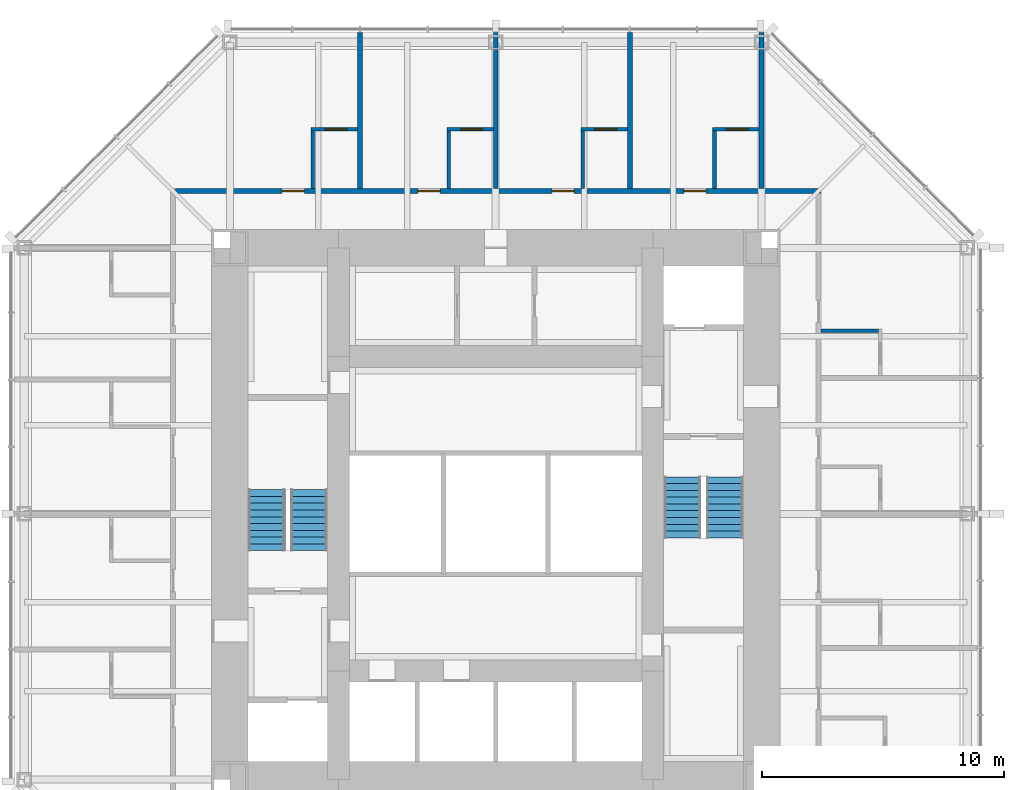
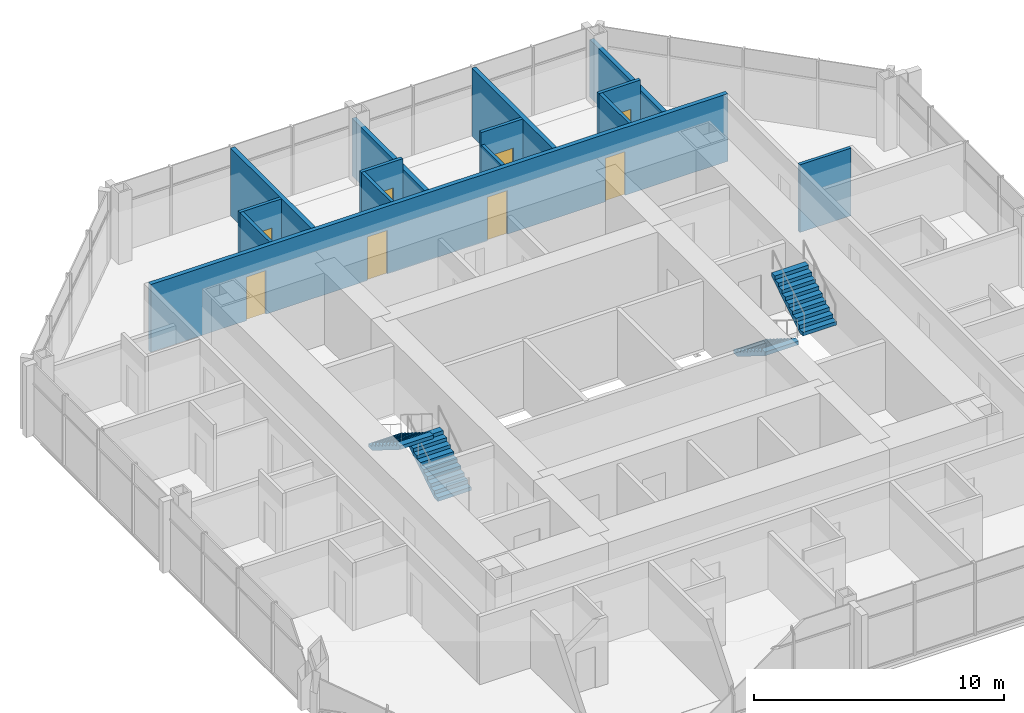
# One storey, part 10 of 12: 14 walls, 8 doors, 4 stair flights, 8 openings, 2 elements without a shape of their own.
"""IFC4 building model written with IfcOpenShell, lengths in metres."""

from ifc_helpers import new_model, si_unit, direction, frame, frame_2d, origin, place, context, subcontext, project, spatial, polyline, rectangle, outline, extrude, material, layer, layer_set, type_object, element, fill, aggregate, save


model = new_model("IFC4")

# Units and contexts
model_context = context("Model", 3, precision=1e-05, world=origin(), true_north=direction((0.0, 1.0)))
body_context = subcontext(model_context, "Body", "Model", "MODEL_VIEW")
ifc_project = project(units=[si_unit("LENGTHUNIT", "METRE"), si_unit("AREAUNIT", "SQUARE_METRE"), si_unit("VOLUMEUNIT", "CUBIC_METRE"), si_unit("PLANEANGLEUNIT", "RADIAN"), si_unit("MASSUNIT", "GRAM", prefix="KILO")], contexts=[model_context])

# Site, building, storey
site_placement = place(None, origin())
site = spatial("IfcSite", under=ifc_project, at=site_placement, CompositionType="ELEMENT")
building_placement = place(site_placement, origin())
building = spatial("IfcBuilding", under=site, at=building_placement, Name="Trevanion Tower", CompositionType="ELEMENT")
storey_placement = place(building_placement, frame((0.0, 0.0, 197.699951171875)))
storey = spatial("IfcBuildingStorey", under=building, at=storey_placement, Name="L46", CompositionType="ELEMENT", Elevation=197.699951171875)

# Wall
ifc_material_1 = material(Name="Gypsum board on steel studs", Category="steel")
ifc_layer_1 = layer(ifc_material_1, 0.14990234375)
ifc_layer_set_1 = layer_set([ifc_layer_1], Name="PT1 partition 150")
wall_type_1 = type_object("IfcWallType", Name="PT1 partition 150", PredefinedType="PARTITIONING", material=ifc_layer_set_1)
wall_1_placement = place(storey_placement, frame((13.449951171875, 7.56396484375, 0.0), z_axis=(0.0, 0.0, 1.0), x_axis=(1.0, 0.0, 0.0)))
element("IfcWall", 1, at=wall_1_placement, inside=storey, type_object=wall_type_1, Name="PT1 L46 BB03", PredefinedType="PARTITIONING", context=body_context, shape_type="SweptSolid", body=[
    extrude(rectangle(XDim=2.375, YDim=0.14990234375, at=frame_2d((1.1875, 0.0))), origin(), (0.0, 0.0, 1.0), 3.31005859375),
])

# Wall, opening, door
wall_2_placement = place(storey_placement, frame((10.89990234375, 15.89990234375, 0.0), z_axis=(0.0, 0.0, 1.0), x_axis=(-1.0, 0.0, 0.0)))
wall_2 = element("IfcWall", 2, at=wall_2_placement, inside=storey, type_object=wall_type_1, Name="PT1 L46 BA10", PredefinedType="PARTITIONING", context=body_context, shape_type="SweptSolid", body=[
    extrude(rectangle(XDim=1.9248046875, YDim=0.14990234375, at=frame_2d((0.96240234375, 0.0))), origin(), (0.0, 0.0, 1.0), 3.31005859375),
])
opening_1_placement = place(wall_2_placement, frame((0.4423828125, 0.0, 0.0)))
opening_1 = element("IfcOpeningElement", 3, at=opening_1_placement, cuts=wall_2, Name="Opening 46-024", PredefinedType="OPENING", context=body_context, shape_type="SweptSolid", body=[
    extrude(rectangle(XDim=0.9150390625, YDim=2.031982421875, at=frame_2d((0.45751953125, 1.01611328125))), frame((0.0, 0.0849609375, 0.0), z_axis=(0.0, -1.0, 0.0), x_axis=(1.0, 0.0, 0.0)), (0.0, 0.0, 1.0), 0.169921875),
])
ifc_material_2 = material(Name="Timber veneer", Category="wood")
door_type_1 = type_object("IfcDoorType", Name="D7 bathroom door", OperationType="SINGLE_SWING_LEFT", PredefinedType="DOOR", material=ifc_material_2)
door_1_placement = place(opening_1_placement, origin())
door_1 = element("IfcDoor", 4, at=door_1_placement, inside=storey, type_object=door_type_1, Name="Door 46-024", OperationType="SINGLE_SWING_LEFT", OverallHeight=2.031982421875, OverallWidth=0.9150390625, PredefinedType="DOOR", context=body_context, shape_type="SweptSolid", body=[
    extrude(rectangle(XDim=0.9150390625, YDim=2.031982421875, at=frame_2d((0.45751953125, 1.01611328125))), frame((0.0, 0.02490234375, 0.0), z_axis=(0.0, -1.0, 0.0), x_axis=(1.0, 0.0, 0.0)), (0.0, 0.0, 1.0), 0.050048828125),
])
fill(opening_1, door_1)

# Wall
wall_3_placement = place(storey_placement, frame((9.050048828125, 13.449951171875, 0.0), z_axis=(0.0, 0.0, 1.0), x_axis=(0.0, 1.0, 0.0)))
element("IfcWall", 5, at=wall_3_placement, inside=storey, type_object=wall_type_1, Name="PT1 L46 BB10", PredefinedType="PARTITIONING", context=body_context, shape_type="SweptSolid", body=[
    extrude(rectangle(XDim=2.375, YDim=0.14990234375, at=frame_2d((1.1875, 0.0))), origin(), (0.0, 0.0, 1.0), 3.31005859375),
])

# Wall, opening, door
wall_4_placement = place(storey_placement, frame((5.448974609375, 15.89990234375, 0.0), z_axis=(0.0, 0.0, 1.0), x_axis=(-1.0, 0.0, 0.0)))
wall_4 = element("IfcWall", 6, at=wall_4_placement, inside=storey, type_object=wall_type_1, Name="PT1 L46 BA11", PredefinedType="PARTITIONING", context=body_context, shape_type="SweptSolid", body=[
    extrude(rectangle(XDim=1.925048828125, YDim=0.14990234375, at=frame_2d((0.96240234375, 0.0))), origin(), (0.0, 0.0, 1.0), 3.31005859375),
])
opening_2_placement = place(wall_4_placement, frame((0.4423828125, 0.0, 0.0)))
opening_2 = element("IfcOpeningElement", 7, at=opening_2_placement, cuts=wall_4, Name="Opening 46-026", PredefinedType="OPENING", context=body_context, shape_type="SweptSolid", body=[
    extrude(rectangle(XDim=0.9150390625, YDim=2.031982421875, at=frame_2d((0.45751953125, 1.01611328125))), frame((0.0, 0.0849609375, 0.0), z_axis=(0.0, -1.0, 0.0), x_axis=(1.0, 0.0, 0.0)), (0.0, 0.0, 1.0), 0.169921875),
])
door_2_placement = place(opening_2_placement, origin())
door_2 = element("IfcDoor", 8, at=door_2_placement, inside=storey, type_object=door_type_1, Name="Door 46-026", OperationType="SINGLE_SWING_LEFT", OverallHeight=2.031982421875, OverallWidth=0.9150390625, PredefinedType="DOOR", context=body_context, shape_type="SweptSolid", body=[
    extrude(rectangle(XDim=0.9150390625, YDim=2.031982421875, at=frame_2d((0.45751953125, 1.01611328125))), frame((0.0, 0.02490234375, 0.0), z_axis=(0.0, -1.0, 0.0), x_axis=(1.0, 0.0, 0.0)), (0.0, 0.0, 1.0), 0.050048828125),
])
fill(opening_2, door_2)

# Wall
wall_5_placement = place(storey_placement, frame((3.59912109375, 13.449951171875, 0.0), z_axis=(0.0, 0.0, 1.0), x_axis=(0.0, 1.0, 0.0)))
element("IfcWall", 9, at=wall_5_placement, inside=storey, type_object=wall_type_1, Name="PT1 L46 BB11", PredefinedType="PARTITIONING", context=body_context, shape_type="SweptSolid", body=[
    extrude(rectangle(XDim=2.375, YDim=0.14990234375, at=frame_2d((1.1875, 0.0))), origin(), (0.0, 0.0, 1.0), 2.703125),
])

# Wall, opening, door
wall_6_placement = place(storey_placement, frame((-0.10009765625, 15.89990234375, 0.0), z_axis=(0.0, 0.0, 1.0), x_axis=(-1.0, 0.0, 0.0)))
wall_6 = element("IfcWall", 10, at=wall_6_placement, inside=storey, type_object=wall_type_1, Name="PT1 L46 BA12", PredefinedType="PARTITIONING", context=body_context, shape_type="SweptSolid", body=[
    extrude(rectangle(XDim=1.9248046875, YDim=0.14990234375, at=frame_2d((0.96240234375, 0.0))), origin(), (0.0, 0.0, 1.0), 3.31005859375),
])
opening_3_placement = place(wall_6_placement, frame((0.4423828125, 0.0, 0.0)))
opening_3 = element("IfcOpeningElement", 11, at=opening_3_placement, cuts=wall_6, Name="Opening 46-028", PredefinedType="OPENING", context=body_context, shape_type="SweptSolid", body=[
    extrude(rectangle(XDim=0.9150390625, YDim=2.031982421875, at=frame_2d((0.45751953125, 1.01611328125))), frame((0.0, 0.0849609375, 0.0), z_axis=(0.0, -1.0, 0.0), x_axis=(1.0, 0.0, 0.0)), (0.0, 0.0, 1.0), 0.169921875),
])
door_3_placement = place(opening_3_placement, origin())
door_3 = element("IfcDoor", 12, at=door_3_placement, inside=storey, type_object=door_type_1, Name="Door 46-028", OperationType="SINGLE_SWING_LEFT", OverallHeight=2.031982421875, OverallWidth=0.9150390625, PredefinedType="DOOR", context=body_context, shape_type="SweptSolid", body=[
    extrude(rectangle(XDim=0.9150390625, YDim=2.031982421875, at=frame_2d((0.45751953125, 1.01611328125))), frame((0.0, 0.02490234375, 0.0), z_axis=(0.0, -1.0, 0.0), x_axis=(1.0, 0.0, 0.0)), (0.0, 0.0, 1.0), 0.050048828125),
])
fill(opening_3, door_3)

# Wall
wall_7_placement = place(storey_placement, frame((-1.949951171875, 13.449951171875, 0.0), z_axis=(0.0, 0.0, 1.0), x_axis=(0.0, 1.0, 0.0)))
element("IfcWall", 13, at=wall_7_placement, inside=storey, type_object=wall_type_1, Name="PT1 L46 BB12", PredefinedType="PARTITIONING", context=body_context, shape_type="SweptSolid", body=[
    extrude(rectangle(XDim=2.375, YDim=0.14990234375, at=frame_2d((1.1875, 0.0))), origin(), (0.0, 0.0, 1.0), 3.31005859375),
])

# Wall, opening, door
wall_8_placement = place(storey_placement, frame((-5.714111328125, 15.89990234375, 0.0), z_axis=(0.0, 0.0, 1.0), x_axis=(-1.0, 0.0, 0.0)))
wall_8 = element("IfcWall", 14, at=wall_8_placement, inside=storey, type_object=wall_type_1, Name="PT1 L46 BA13", PredefinedType="PARTITIONING", context=body_context, shape_type="SweptSolid", body=[
    extrude(rectangle(XDim=1.9248046875, YDim=0.14990234375, at=frame_2d((0.96240234375, 0.0))), origin(), (0.0, 0.0, 1.0), 3.31005859375),
])
opening_4_placement = place(wall_8_placement, frame((0.4423828125, 0.0, 0.0)))
opening_4 = element("IfcOpeningElement", 15, at=opening_4_placement, cuts=wall_8, Name="Opening 46-030", PredefinedType="OPENING", context=body_context, shape_type="SweptSolid", body=[
    extrude(rectangle(XDim=0.9150390625, YDim=2.031982421875, at=frame_2d((0.45751953125, 1.01611328125))), frame((0.0, 0.0849609375, 0.0), z_axis=(0.0, -1.0, 0.0), x_axis=(1.0, 0.0, 0.0)), (0.0, 0.0, 1.0), 0.169921875),
])
door_4_placement = place(opening_4_placement, origin())
door_4 = element("IfcDoor", 16, at=door_4_placement, inside=storey, type_object=door_type_1, Name="Door 46-030", OperationType="SINGLE_SWING_LEFT", OverallHeight=2.031982421875, OverallWidth=0.9150390625, PredefinedType="DOOR", context=body_context, shape_type="SweptSolid", body=[
    extrude(rectangle(XDim=0.9150390625, YDim=2.031982421875, at=frame_2d((0.45751953125, 1.01611328125))), frame((0.0, 0.02490234375, 0.0), z_axis=(0.0, -1.0, 0.0), x_axis=(1.0, 0.0, 0.0)), (0.0, 0.0, 1.0), 0.050048828125),
])
fill(opening_4, door_4)

# Wall
wall_9_placement = place(storey_placement, frame((-7.56396484375, 13.449951171875, 0.0), z_axis=(0.0, 0.0, 1.0), x_axis=(0.0, 1.0, 0.0)))
element("IfcWall", 17, at=wall_9_placement, inside=storey, type_object=wall_type_1, Name="PT1 L46 BB13", PredefinedType="PARTITIONING", context=body_context, shape_type="SweptSolid", body=[
    extrude(rectangle(XDim=2.375, YDim=0.14990234375, at=frame_2d((1.1875, 0.0))), origin(), (0.0, 0.0, 1.0), 3.31005859375),
])

# Wall, openings, doors
ifc_material_3 = material(Name="Concrete masonry, grouted", Category="masonry")
ifc_layer_2 = layer(ifc_material_3, 0.199951171875)
ifc_layer_set_2 = layer_set([ifc_layer_2], Name="PT2 partition 200 1 HR")
wall_type_2 = type_object("IfcWallType", Name="PT2 partition 200 1 HR", PredefinedType="PARTITIONING", material=ifc_layer_set_2)
wall_10_placement = place(storey_placement, frame((13.449951171875, 13.35009765625, 0.0), z_axis=(0.0, 0.0, 1.0), x_axis=(-1.0, 0.0, 0.0)))
wall_10 = element("IfcWall", 18, at=wall_10_placement, inside=storey, type_object=wall_type_2, Name="PT2 L46 HC1", PredefinedType="PARTITIONING", context=body_context, shape_type="SweptSolid", body=[
    extrude(rectangle(XDim=26.699951171875, YDim=0.199951171875, at=frame_2d((13.35009765625, 0.0))), origin(), (0.0, 0.0, 1.0), 3.31005859375),
])
opening_5_placement = place(wall_10_placement, frame((4.75244140625, 0.0, 0.0)))
opening_5 = element("IfcOpeningElement", 19, at=opening_5_placement, cuts=wall_10, Name="Opening 46-025", PredefinedType="OPENING", context=body_context, shape_type="SweptSolid", body=[
    extrude(rectangle(XDim=0.9150390625, YDim=2.134033203125, at=frame_2d((0.45751953125, 1.06689453125))), frame((0.0, 0.10986328125, 0.0), z_axis=(0.0, -1.0, 0.0), x_axis=(1.0, 0.0, 0.0)), (0.0, 0.0, 1.0), 0.219970703125),
])
opening_6_placement = place(wall_10_placement, frame((10.20361328125, 0.0, 0.0)))
opening_6 = element("IfcOpeningElement", 20, at=opening_6_placement, cuts=wall_10, Name="Opening 46-027", PredefinedType="OPENING", context=body_context, shape_type="SweptSolid", body=[
    extrude(rectangle(XDim=0.9150390625, YDim=2.134033203125, at=frame_2d((0.45751953125, 1.06689453125))), frame((0.0, 0.10986328125, 0.0), z_axis=(0.0, -1.0, 0.0), x_axis=(1.0, 0.0, 0.0)), (0.0, 0.0, 1.0), 0.219970703125),
])
opening_7_placement = place(wall_10_placement, frame((15.75244140625, 0.0, 0.0)))
opening_7 = element("IfcOpeningElement", 21, at=opening_7_placement, cuts=wall_10, Name="Opening 46-029", PredefinedType="OPENING", context=body_context, shape_type="SweptSolid", body=[
    extrude(rectangle(XDim=0.9150390625, YDim=2.134033203125, at=frame_2d((0.45751953125, 1.06689453125))), frame((0.0, 0.10986328125, 0.0), z_axis=(0.0, -1.0, 0.0), x_axis=(1.0, 0.0, 0.0)), (0.0, 0.0, 1.0), 0.219970703125),
])
opening_8_placement = place(wall_10_placement, frame((21.366455078125, 0.0, 0.0)))
opening_8 = element("IfcOpeningElement", 22, at=opening_8_placement, cuts=wall_10, Name="Opening 46-031", PredefinedType="OPENING", context=body_context, shape_type="SweptSolid", body=[
    extrude(rectangle(XDim=0.9150390625, YDim=2.134033203125, at=frame_2d((0.45751953125, 1.06689453125))), frame((0.0, 0.10986328125, 0.0), z_axis=(0.0, -1.0, 0.0), x_axis=(1.0, 0.0, 0.0)), (0.0, 0.0, 1.0), 0.219970703125),
])
ifc_material_4 = material(Name="Timber veneer, fire rated", Category="wood")
door_type_2 = type_object("IfcDoorType", Name="D6 guest room entrance door", OperationType="SINGLE_SWING_LEFT", PredefinedType="DOOR", material=ifc_material_4)
door_5_placement = place(opening_5_placement, origin())
door_5 = element("IfcDoor", 23, at=door_5_placement, inside=storey, type_object=door_type_2, Name="Door 46-025", OperationType="SINGLE_SWING_LEFT", OverallHeight=2.134033203125, OverallWidth=0.9150390625, PredefinedType="DOOR", context=body_context, shape_type="SweptSolid", body=[
    extrude(rectangle(XDim=0.9150390625, YDim=2.134033203125, at=frame_2d((0.45751953125, 1.06689453125))), frame((0.0, 0.02490234375, 0.0), z_axis=(0.0, -1.0, 0.0), x_axis=(1.0, 0.0, 0.0)), (0.0, 0.0, 1.0), 0.050048828125),
])
fill(opening_5, door_5)
door_6_placement = place(opening_6_placement, origin())
door_6 = element("IfcDoor", 24, at=door_6_placement, inside=storey, type_object=door_type_2, Name="Door 46-027", OperationType="SINGLE_SWING_LEFT", OverallHeight=2.134033203125, OverallWidth=0.9150390625, PredefinedType="DOOR", context=body_context, shape_type="SweptSolid", body=[
    extrude(rectangle(XDim=0.9150390625, YDim=2.134033203125, at=frame_2d((0.45751953125, 1.06689453125))), frame((0.0, 0.02490234375, 0.0), z_axis=(0.0, -1.0, 0.0), x_axis=(1.0, 0.0, 0.0)), (0.0, 0.0, 1.0), 0.050048828125),
])
fill(opening_6, door_6)
door_7_placement = place(opening_7_placement, origin())
door_7 = element("IfcDoor", 25, at=door_7_placement, inside=storey, type_object=door_type_2, Name="Door 46-029", OperationType="SINGLE_SWING_LEFT", OverallHeight=2.134033203125, OverallWidth=0.9150390625, PredefinedType="DOOR", context=body_context, shape_type="SweptSolid", body=[
    extrude(rectangle(XDim=0.9150390625, YDim=2.134033203125, at=frame_2d((0.45751953125, 1.06689453125))), frame((0.0, 0.02490234375, 0.0), z_axis=(0.0, -1.0, 0.0), x_axis=(1.0, 0.0, 0.0)), (0.0, 0.0, 1.0), 0.050048828125),
])
fill(opening_7, door_7)
door_8_placement = place(opening_8_placement, origin())
door_8 = element("IfcDoor", 26, at=door_8_placement, inside=storey, type_object=door_type_2, Name="Door 46-031", OperationType="SINGLE_SWING_LEFT", OverallHeight=2.134033203125, OverallWidth=0.9150390625, PredefinedType="DOOR", context=body_context, shape_type="SweptSolid", body=[
    extrude(rectangle(XDim=0.9150390625, YDim=2.134033203125, at=frame_2d((0.45751953125, 1.06689453125))), frame((0.0, 0.02490234375, 0.0), z_axis=(0.0, -1.0, 0.0), x_axis=(1.0, 0.0, 0.0)), (0.0, 0.0, 1.0), 0.050048828125),
])
fill(opening_8, door_8)

# Walls
wall_11_placement = place(storey_placement, frame((11.0, 13.449951171875, 0.0), z_axis=(0.0, 0.0, 1.0), x_axis=(0.0, 1.0, 0.0)))
element("IfcWall", 27, at=wall_11_placement, inside=storey, type_object=wall_type_2, Name="PT2 L46 HD10", PredefinedType="PARTITIONING", context=body_context, shape_type="SweptSolid", body=[
    extrude(rectangle(XDim=6.465087890625, YDim=0.199951171875, at=frame_2d((3.232421875, 0.0))), origin(), (0.0, 0.0, 1.0), 2.802001953125),
])
wall_12_placement = place(storey_placement, frame((5.549072265625, 13.449951171875, 0.0), z_axis=(0.0, 0.0, 1.0), x_axis=(0.0, 1.0, 0.0)))
element("IfcWall", 28, at=wall_12_placement, inside=storey, type_object=wall_type_2, Name="PT2 L46 HD11", PredefinedType="PARTITIONING", context=body_context, shape_type="SweptSolid", body=[
    extrude(rectangle(XDim=6.465087890625, YDim=0.199951171875, at=frame_2d((3.232421875, 0.0))), origin(), (0.0, 0.0, 1.0), 3.31005859375),
])
wall_13_placement = place(storey_placement, frame((0.0, 13.449951171875, 0.0), z_axis=(0.0, 0.0, 1.0), x_axis=(0.0, 1.0, 0.0)))
element("IfcWall", 29, at=wall_13_placement, inside=storey, type_object=wall_type_2, Name="PT2 L46 HD12", PredefinedType="PARTITIONING", context=body_context, shape_type="SweptSolid", body=[
    extrude(rectangle(XDim=6.465087890625, YDim=0.199951171875, at=frame_2d((3.232421875, 0.0))), origin(), (0.0, 0.0, 1.0), 2.802001953125),
])
wall_14_placement = place(storey_placement, frame((-5.614013671875, 13.449951171875, 0.0), z_axis=(0.0, 0.0, 1.0), x_axis=(0.0, 1.0, 0.0)))
element("IfcWall", 30, at=wall_14_placement, inside=storey, type_object=wall_type_2, Name="PT2 L46 HD13", PredefinedType="PARTITIONING", context=body_context, shape_type="SweptSolid", body=[
    extrude(rectangle(XDim=6.465087890625, YDim=0.199951171875, at=frame_2d((3.232421875, 0.0))), origin(), (0.0, 0.0, 1.0), 3.31005859375),
])

# Stair, stair flights
ifc_material_5 = material(Name="Concrete 5,000 psi on steel stringers", Category="concrete")
stair_type = type_object("IfcStairType", Name="ST stair", PredefinedType="HALF_TURN_STAIR", material=ifc_material_5)
stair_1_placement = place(storey_placement, origin())
stair_1 = element("IfcStair", 31, at=stair_1_placement, inside=storey, type_object=stair_type, Name="ST1 L46", PredefinedType="HALF_TURN_STAIR")
ifc_material_6 = material(Name="Concrete 5,000 psi in steel pan", Category="concrete")
stair_flight_type = type_object("IfcStairFlightType", Name="STF stair flight", PredefinedType="STRAIGHT", material=ifc_material_6)
stair_flight_1_placement = place(storey_placement, frame((7.72509765625, 1.52490234375, 0.0), z_axis=(0.0, 0.0, 1.0), x_axis=(0.0, -1.0, 0.0)))
stair_flight_1 = element("IfcStairFlight", 32, at=stair_flight_1_placement, type_object=stair_flight_type, Name="ST1 flight 1", NumberOfRisers=10, NumberOfTreads=9, PredefinedType="STRAIGHT", RiserHeight=0.175, TreadLength=0.28, context=body_context, shape_type="SweptSolid", body=[
    extrude(outline(polyline([(0.0, 0.0), (0.0, 0.175048828125), (0.280029296875, 0.175048828125), (0.280029296875, 0.35009765625), (0.56005859375, 0.35009765625), (0.56005859375, 0.52490234375), (0.840087890625, 0.52490234375), (0.840087890625, 0.699951171875), (1.1201171875, 0.699951171875), (1.1201171875, 0.875), (1.39990234375, 0.875), (1.39990234375, 1.050048828125), (1.679931640625, 1.050048828125), (1.679931640625, 1.22509765625), (1.9599609375, 1.22509765625), (1.9599609375, 1.39990234375), (2.239990234375, 1.39990234375), (2.239990234375, 1.574951171875), (2.52001953125, 1.574951171875), (2.52001953125, 1.75), (2.52001953125, 1.398193359375), (0.28271484375, 0.0), (0.0, 0.0)])), frame((0.0, 0.77490234375, 0.0), z_axis=(0.0, -1.0, 0.0), x_axis=(1.0, 0.0, 0.0)), (0.0, 0.0, 1.0), 1.550048828125),
])
stair_flight_2_placement = place(storey_placement, frame((9.47509765625, -0.9951171875, 1.75), z_axis=(0.0, 0.0, 1.0), x_axis=(0.0, 1.0, 0.0)))
stair_flight_2 = element("IfcStairFlight", 33, at=stair_flight_2_placement, type_object=stair_flight_type, Name="ST1 flight 2", NumberOfRisers=10, NumberOfTreads=9, PredefinedType="STRAIGHT", RiserHeight=0.175, TreadLength=0.28, context=body_context, shape_type="SweptSolid", body=[
    extrude(outline(polyline([(0.0, 0.0), (0.0, 0.175048828125), (0.280029296875, 0.175048828125), (0.280029296875, 0.35009765625), (0.56005859375, 0.35009765625), (0.56005859375, 0.52490234375), (0.840087890625, 0.52490234375), (0.840087890625, 0.699951171875), (1.1201171875, 0.699951171875), (1.1201171875, 0.875), (1.39990234375, 0.875), (1.39990234375, 1.050048828125), (1.679931640625, 1.050048828125), (1.679931640625, 1.22509765625), (1.9599609375, 1.22509765625), (1.9599609375, 1.39990234375), (2.239990234375, 1.39990234375), (2.239990234375, 1.574951171875), (2.52001953125, 1.574951171875), (2.52001953125, 1.75), (2.52001953125, 1.398193359375), (0.28271484375, 0.0), (0.0, 0.0)])), frame((0.0, 0.77490234375, 0.0), z_axis=(0.0, -1.0, 0.0), x_axis=(1.0, 0.0, 0.0)), (0.0, 0.0, 1.0), 1.550048828125),
])
aggregate(stair_1, [stair_flight_1, stair_flight_2])

stair_2_placement = place(storey_placement, origin())
stair_2 = element("IfcStair", 34, at=stair_2_placement, inside=storey, type_object=stair_type, Name="ST2 L46", PredefinedType="HALF_TURN_STAIR")
stair_flight_3_placement = place(storey_placement, frame((-7.72509765625, -1.52490234375, 0.0), z_axis=(0.0, 0.0, 1.0), x_axis=(0.0, 1.0, 0.0)))
stair_flight_3 = element("IfcStairFlight", 35, at=stair_flight_3_placement, type_object=stair_flight_type, Name="ST2 flight 1", NumberOfRisers=10, NumberOfTreads=9, PredefinedType="STRAIGHT", RiserHeight=0.175, TreadLength=0.28, context=body_context, shape_type="SweptSolid", body=[
    extrude(outline(polyline([(0.0, 0.0), (0.0, 0.175048828125), (0.280029296875, 0.175048828125), (0.280029296875, 0.35009765625), (0.56005859375, 0.35009765625), (0.56005859375, 0.52490234375), (0.840087890625, 0.52490234375), (0.840087890625, 0.699951171875), (1.1201171875, 0.699951171875), (1.1201171875, 0.875), (1.39990234375, 0.875), (1.39990234375, 1.050048828125), (1.679931640625, 1.050048828125), (1.679931640625, 1.22509765625), (1.9599609375, 1.22509765625), (1.9599609375, 1.39990234375), (2.239990234375, 1.39990234375), (2.239990234375, 1.574951171875), (2.52001953125, 1.574951171875), (2.52001953125, 1.75), (2.52001953125, 1.398193359375), (0.28271484375, 0.0), (0.0, 0.0)])), frame((0.0, 0.77490234375, 0.0), z_axis=(0.0, -1.0, 0.0), x_axis=(1.0, 0.0, 0.0)), (0.0, 0.0, 1.0), 1.550048828125),
])
stair_flight_4_placement = place(storey_placement, frame((-9.47509765625, 0.9951171875, 1.75), z_axis=(0.0, 0.0, 1.0), x_axis=(0.0, -1.0, 0.0)))
stair_flight_4 = element("IfcStairFlight", 36, at=stair_flight_4_placement, type_object=stair_flight_type, Name="ST2 flight 2", NumberOfRisers=10, NumberOfTreads=9, PredefinedType="STRAIGHT", RiserHeight=0.175, TreadLength=0.28, context=body_context, shape_type="SweptSolid", body=[
    extrude(outline(polyline([(0.0, 0.0), (0.0, 0.175048828125), (0.280029296875, 0.175048828125), (0.280029296875, 0.35009765625), (0.56005859375, 0.35009765625), (0.56005859375, 0.52490234375), (0.840087890625, 0.52490234375), (0.840087890625, 0.699951171875), (1.1201171875, 0.699951171875), (1.1201171875, 0.875), (1.39990234375, 0.875), (1.39990234375, 1.050048828125), (1.679931640625, 1.050048828125), (1.679931640625, 1.22509765625), (1.9599609375, 1.22509765625), (1.9599609375, 1.39990234375), (2.239990234375, 1.39990234375), (2.239990234375, 1.574951171875), (2.52001953125, 1.574951171875), (2.52001953125, 1.75), (2.52001953125, 1.398193359375), (0.28271484375, 0.0), (0.0, 0.0)])), frame((0.0, 0.77490234375, 0.0), z_axis=(0.0, -1.0, 0.0), x_axis=(1.0, 0.0, 0.0)), (0.0, 0.0, 1.0), 1.550048828125),
])
aggregate(stair_2, [stair_flight_3, stair_flight_4])

save(model, "model.ifc")
